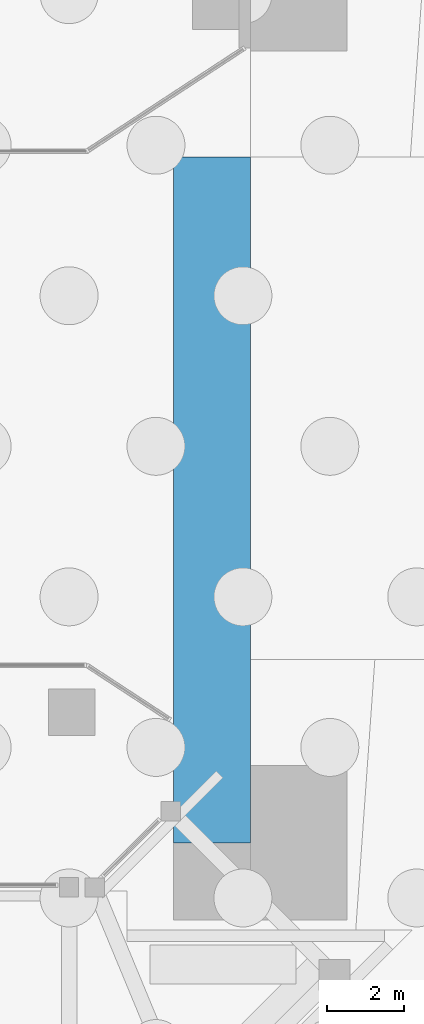
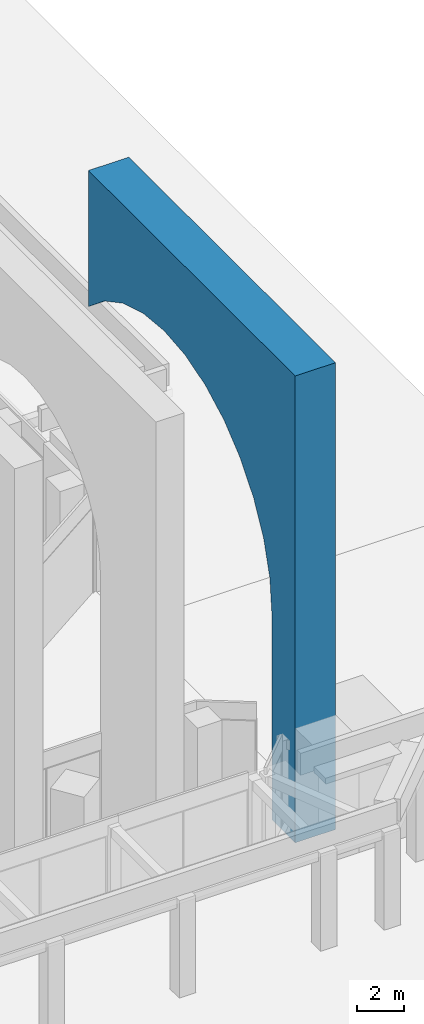
# One storey, part 28 of 46: 1 member.
"""IFC4 building model written with IfcOpenShell, lengths in metres."""

import ifcopenshell
import ifcopenshell.guid

model = None  # the IFC model being written
_history = None  # IfcOwnerHistory: only IFC2X3 demands one
_inside = {}  # id of a spatial element -> (the spatial element, [elements in it])
_under = {}  # id of a project, library or spatial element -> (it, [spatial elements below it])
_declared = {}  # id of a project -> (the project, [libraries it declares])
_typed = {}  # id of a type object -> (the type object, [elements of that type])
_made_of = {}  # id of a material, layer set ... -> (it, [elements and type objects made of it])


def new_model(schema):
    """Start an empty IFC model of exactly this schema.

    Asked for "IFC4X3", IfcOpenShell would pick the latest addendum, in which some entities
    have other attributes; the version numbers below select the first issue.
    IFC2X3 requires an IfcOwnerHistory on every rooted entity: one is made here for all.
    """
    global model, _history
    if schema == "IFC4X3":
        model = ifcopenshell.file(schema_version=(4, 3, 0, 0))
    else:
        model = ifcopenshell.file(schema=schema)
    _inside.clear()
    _under.clear()
    _declared.clear()
    _typed.clear()
    _made_of.clear()
    _history = None
    if model.schema == "IFC2X3":
        org = make("IfcOrganization", Name="unknown")
        user = make(
            "IfcPersonAndOrganization",
            ThePerson=make("IfcPerson", FamilyName="unknown"),
            TheOrganization=org,
        )
        app = make(
            "IfcApplication",
            ApplicationDeveloper=org,
            Version="unknown",
            ApplicationFullName="unknown",
            ApplicationIdentifier="unknown",
        )
        _history = make(
            "IfcOwnerHistory",
            OwningUser=user,
            OwningApplication=app,
            ChangeAction="ADDED",
            CreationDate=0,
        )
    return model


def make(cls, **values):
    """One entity of the class cls with the attributes given. An attribute that is None is left unset."""
    return model.create_entity(
        cls, **{name: value for name, value in values.items() if value is not None}
    )


def rooted(cls, **values):
    """An entity with a GlobalId (a new one), such as an element, a storey or a relation."""
    return make(cls, GlobalId=ifcopenshell.guid.new(), OwnerHistory=_history, **values)


def si_unit(unit_type, name, prefix=None):
    """IfcSIUnit, for example si_unit("LENGTHUNIT", "METRE", prefix="MILLI")."""
    return make("IfcSIUnit", UnitType=unit_type, Prefix=prefix, Name=name)


def assignment(units):
    """IfcUnitAssignment: the units of a project."""
    return None if units is None else make("IfcUnitAssignment", Units=units)


def point(xyz):
    """IfcCartesianPoint."""
    return None if xyz is None else make("IfcCartesianPoint", Coordinates=xyz)


def direction(xyz):
    """IfcDirection."""
    return None if xyz is None else make("IfcDirection", DirectionRatios=xyz)


def frame(location, z_axis=None, x_axis=None):
    """IfcAxis2Placement3D, a coordinate frame: its origin and axes. An axis left out is left unset."""
    return make(
        "IfcAxis2Placement3D",
        Location=point(location),
        Axis=direction(z_axis),
        RefDirection=direction(x_axis),
    )


def origin():
    """The frame at (0, 0, 0) with its axes left unset."""
    return frame((0.0, 0.0, 0.0))


def place(relative_to, where):
    """IfcLocalPlacement: puts the frame where relative to a parent placement (None: the world)."""
    return make(
        "IfcLocalPlacement", PlacementRelTo=relative_to, RelativePlacement=where
    )


def context(
    kind, dimensions, precision=None, world=None, true_north=None, identifier=None
):
    """IfcGeometricRepresentationContext, for example the 3D "Model" context."""
    return make(
        "IfcGeometricRepresentationContext",
        ContextIdentifier=identifier,
        ContextType=kind,
        CoordinateSpaceDimension=dimensions,
        Precision=precision,
        WorldCoordinateSystem=world,
        TrueNorth=true_north,
    )


def subcontext(parent, identifier, kind, view, scale=None):
    """IfcGeometricRepresentationSubContext, for example "Body" below "Model"."""
    return make(
        "IfcGeometricRepresentationSubContext",
        ContextIdentifier=identifier,
        ContextType=kind,
        ParentContext=parent,
        TargetScale=scale,
        TargetView=view,
    )


def project(units=None, contexts=None):
    """IfcProject with its units and contexts."""
    return rooted(
        "IfcProject",
        Name="project",
        RepresentationContexts=contexts,
        UnitsInContext=assignment(units),
    )


def spatial(cls, under=None, at=None, **own):
    """A site, building, storey or space (cls), placed at a placement, below another one or the project."""
    s = rooted(cls, ObjectPlacement=at, **own)
    if under is not None:
        _under.setdefault(under.id(), (under, []))[1].append(s)
    return s


def polyline(points):
    """IfcPolyline through the points."""
    return make("IfcPolyline", Points=[point(p) for p in points])


def outline(outer, holes=None, kind="AREA"):
    """IfcArbitraryClosedProfileDef: a profile drawn as a closed curve; with holes, ...WithVoids."""
    if holes is None:
        return make("IfcArbitraryClosedProfileDef", ProfileType=kind, OuterCurve=outer)
    return make(
        "IfcArbitraryProfileDefWithVoids",
        ProfileType=kind,
        OuterCurve=outer,
        InnerCurves=holes,
    )


def extrude(swept, where, along, depth):
    """IfcExtrudedAreaSolid: the profile swept, set in the frame where, extruded along a direction by depth."""
    return make(
        "IfcExtrudedAreaSolid",
        SweptArea=swept,
        Position=where,
        ExtrudedDirection=direction(along),
        Depth=depth,
    )


def shape(context_of_items, identifier, shape_type, items):
    """IfcShapeRepresentation: the items that make up one representation, for example the "Body"."""
    return make(
        "IfcShapeRepresentation",
        ContextOfItems=context_of_items,
        RepresentationIdentifier=identifier,
        RepresentationType=shape_type,
        Items=items,
    )


def material(Name=None, Category=None):
    """IfcMaterial."""
    return make("IfcMaterial", Name=Name, Category=Category)


def material_profile(
    of_material, cross_section, Name=None, Category=None, Priority=None
):
    """IfcMaterialProfile: a cross section and its material."""
    return make(
        "IfcMaterialProfile",
        Name=Name,
        Material=of_material,
        Profile=cross_section,
        Priority=Priority,
        Category=Category,
    )


def profile_set(profiles, Name=None, composite=None):
    """IfcMaterialProfileSet."""
    return make(
        "IfcMaterialProfileSet",
        Name=Name,
        MaterialProfiles=profiles,
        CompositeProfile=composite,
    )


def made_of(thing, what):
    """Note that an element or type object is made of a material, layer set ...; save() writes the relation."""
    if what is not None:
        _made_of.setdefault(what.id(), (what, []))[1].append(thing)
    return thing


def type_object(cls, material=None, **own):
    """A type object (cls), such as IfcWallType, which elements share."""
    return made_of(rooted(cls, **own), material)


def element(
    cls,
    number,
    at=None,
    inside=None,
    cuts=None,
    type_object=None,
    material=None,
    context=None,
    identifier="Body",
    shape_type=None,
    held_by="IfcProductDefinitionShape",
    body=None,
    shapes=None,
    **own,
):
    """One element of the class cls, such as IfcWall. Its Tag is "e" and its number.

    at: its placement. inside: the storey or other place that contains it. cuts: it is an
    opening in that element (IfcRelVoidsElement). A single representation is given by context,
    identifier, shape_type and body (its items); several are given by shapes. held_by: the class
    of the entity that holds the representations. save() writes the other relations.
    """
    e = rooted(cls, Tag="e%d" % number, ObjectPlacement=at, **own)
    if body is not None:
        shapes = [shape(context, identifier, shape_type, body)]
    if shapes is not None:
        e.Representation = make(held_by, Representations=shapes)
    if inside is not None:
        _inside.setdefault(inside.id(), (inside, []))[1].append(e)
    if cuts is not None:
        rooted(
            "IfcRelVoidsElement", RelatingBuildingElement=cuts, RelatedOpeningElement=e
        )
    if type_object is not None:
        _typed.setdefault(type_object.id(), (type_object, []))[1].append(e)
    return made_of(e, material)


def aggregate(whole, parts):
    """IfcRelAggregates: a whole, such as a stair, and the parts it consists of."""
    return rooted("IfcRelAggregates", RelatingObject=whole, RelatedObjects=parts)


def save(model, path):
    """Write the relations noted so far, then the file.

    IfcRelAggregates (storeys below a building ...), IfcRelContainedInSpatialStructure (elements
    in a storey), IfcRelDefinesByType, IfcRelAssociatesMaterial and IfcRelDeclares: one each for
    every whole, place, type object, material and project.
    """
    for whole, parts in _under.values():
        aggregate(whole, parts)
    for where, things in _inside.values():
        rooted(
            "IfcRelContainedInSpatialStructure",
            RelatedElements=things,
            RelatingStructure=where,
        )
    for kind, things in _typed.values():
        rooted("IfcRelDefinesByType", RelatedObjects=things, RelatingType=kind)
    for what, things in _made_of.values():
        rooted("IfcRelAssociatesMaterial", RelatedObjects=things, RelatingMaterial=what)
    for by, libraries in _declared.values():
        rooted("IfcRelDeclares", RelatingContext=by, RelatedDefinitions=libraries)
    model.write(path)


model = new_model("IFC4")

# Units and contexts
model_context = context("Model", 3, precision=1e-05, world=origin(), true_north=direction((0.0, 1.0)))
body_context = subcontext(model_context, "Body", "Model", "MODEL_VIEW")
ifc_project = project(units=[si_unit("LENGTHUNIT", "METRE"), si_unit("AREAUNIT", "SQUARE_METRE"), si_unit("VOLUMEUNIT", "CUBIC_METRE"), si_unit("PLANEANGLEUNIT", "RADIAN"), si_unit("MASSUNIT", "GRAM", prefix="KILO")], contexts=[model_context])

# Site, building, storey
site_placement = place(None, origin())
site = spatial("IfcSite", under=ifc_project, at=site_placement, CompositionType="ELEMENT")
building_placement = place(site_placement, origin())
building = spatial("IfcBuilding", under=site, at=building_placement, Name="Mangrove Gate Tower", CompositionType="ELEMENT")
storey_placement = place(building_placement, origin())
storey = spatial("IfcBuildingStorey", under=building, at=storey_placement, Name="L00", CompositionType="ELEMENT", Elevation=0.0)

# Member
ifc_material = material(Name="Concrete C60/75", Category="concrete")
ifc_material_profile = material_profile(ifc_material, outline(polyline([(-8.875, 0.0), (-6.875, 0.0), (-6.875, 10.75), (-6.697021484375, 12.554931640625), (-6.1708984375, 14.2900390625), (-5.31591796875, 15.888916015625), (-4.166015625, 17.291015625), (-2.763916015625, 18.44091796875), (-1.1650390625, 19.2958984375), (0.570068359375, 19.822021484375), (2.375, 20.0), (4.179931640625, 19.822021484375), (5.9150390625, 19.2958984375), (7.513916015625, 18.44091796875), (8.875, 17.32470703125), (8.875, 24.449951171875), (-8.875, 24.449951171875), (-8.875, 0.0)])))
ifc_profile_set = profile_set([ifc_material_profile], Name="Concrete C60/75")
member_type = type_object("IfcMemberType", Name="Arch frame ARCH FRAME 2000x17750 END D-E C60/75", PredefinedType="USERDEFINED", material=ifc_profile_set)
member_placement = place(storey_placement, frame((34.199951171875, -20.875, 0.0), z_axis=(1.0, 0.0, 0.0), x_axis=(0.0, 1.0, 0.0)))
element("IfcMember", 1, at=member_placement, inside=storey, type_object=member_type, Name="Arch frame END-E", ObjectType="ARCH FRAME", PredefinedType="USERDEFINED", context=body_context, shape_type="SweptSolid", body=[
    extrude(outline(polyline([(-8.875, 0.0), (-6.875, 0.0), (-6.875, 10.75), (-6.697021484375, 12.554931640625), (-6.1708984375, 14.2900390625), (-5.31591796875, 15.888916015625), (-4.166015625, 17.291015625), (-2.763916015625, 18.44091796875), (-1.1650390625, 19.2958984375), (0.570068359375, 19.822021484375), (2.375, 20.0), (4.179931640625, 19.822021484375), (5.9150390625, 19.2958984375), (7.513916015625, 18.44091796875), (8.875, 17.32470703125), (8.875, 24.449951171875), (-8.875, 24.449951171875), (-8.875, 0.0)])), origin(), (0.0, 0.0, 1.0), 2.0),
])

save(model, "model.ifc")
